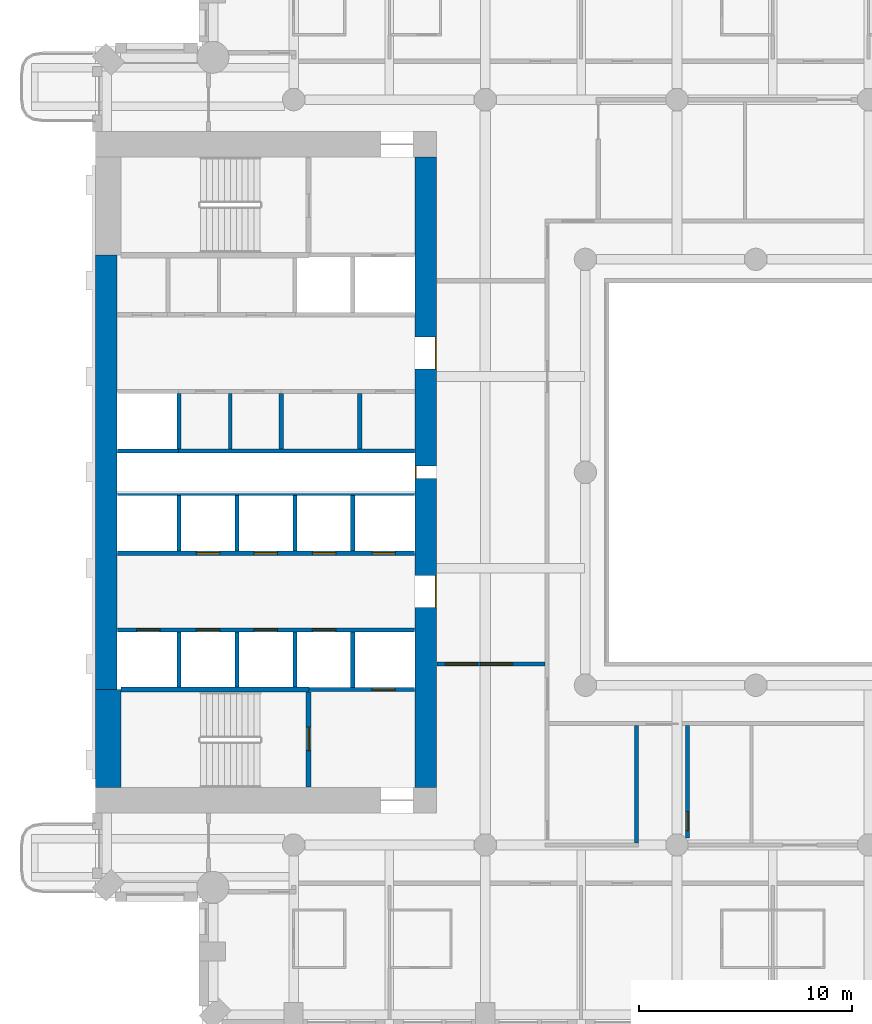
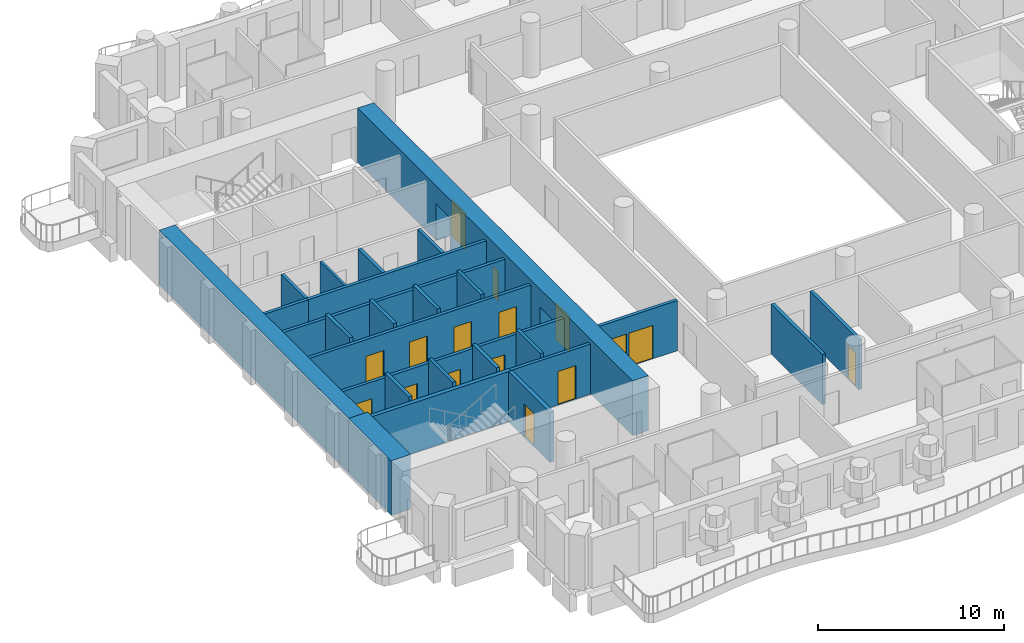
# One storey, part 4 of 20: 26 walls, 16 doors, 16 openings.
"""IFC4 building model written with IfcOpenShell, lengths in metres."""

import ifcopenshell
import ifcopenshell.guid

model = None  # the IFC model being written
_history = None  # IfcOwnerHistory: only IFC2X3 demands one
_inside = {}  # id of a spatial element -> (the spatial element, [elements in it])
_under = {}  # id of a project, library or spatial element -> (it, [spatial elements below it])
_declared = {}  # id of a project -> (the project, [libraries it declares])
_typed = {}  # id of a type object -> (the type object, [elements of that type])
_made_of = {}  # id of a material, layer set ... -> (it, [elements and type objects made of it])


def new_model(schema):
    """Start an empty IFC model of exactly this schema.

    Asked for "IFC4X3", IfcOpenShell would pick the latest addendum, in which some entities
    have other attributes; the version numbers below select the first issue.
    IFC2X3 requires an IfcOwnerHistory on every rooted entity: one is made here for all.
    """
    global model, _history
    if schema == "IFC4X3":
        model = ifcopenshell.file(schema_version=(4, 3, 0, 0))
    else:
        model = ifcopenshell.file(schema=schema)
    _inside.clear()
    _under.clear()
    _declared.clear()
    _typed.clear()
    _made_of.clear()
    _history = None
    if model.schema == "IFC2X3":
        org = make("IfcOrganization", Name="unknown")
        user = make(
            "IfcPersonAndOrganization",
            ThePerson=make("IfcPerson", FamilyName="unknown"),
            TheOrganization=org,
        )
        app = make(
            "IfcApplication",
            ApplicationDeveloper=org,
            Version="unknown",
            ApplicationFullName="unknown",
            ApplicationIdentifier="unknown",
        )
        _history = make(
            "IfcOwnerHistory",
            OwningUser=user,
            OwningApplication=app,
            ChangeAction="ADDED",
            CreationDate=0,
        )
    return model


def make(cls, **values):
    """One entity of the class cls with the attributes given. An attribute that is None is left unset."""
    return model.create_entity(
        cls, **{name: value for name, value in values.items() if value is not None}
    )


def rooted(cls, **values):
    """An entity with a GlobalId (a new one), such as an element, a storey or a relation."""
    return make(cls, GlobalId=ifcopenshell.guid.new(), OwnerHistory=_history, **values)


def si_unit(unit_type, name, prefix=None):
    """IfcSIUnit, for example si_unit("LENGTHUNIT", "METRE", prefix="MILLI")."""
    return make("IfcSIUnit", UnitType=unit_type, Prefix=prefix, Name=name)


def assignment(units):
    """IfcUnitAssignment: the units of a project."""
    return None if units is None else make("IfcUnitAssignment", Units=units)


def point(xyz):
    """IfcCartesianPoint."""
    return None if xyz is None else make("IfcCartesianPoint", Coordinates=xyz)


def direction(xyz):
    """IfcDirection."""
    return None if xyz is None else make("IfcDirection", DirectionRatios=xyz)


def frame(location, z_axis=None, x_axis=None):
    """IfcAxis2Placement3D, a coordinate frame: its origin and axes. An axis left out is left unset."""
    return make(
        "IfcAxis2Placement3D",
        Location=point(location),
        Axis=direction(z_axis),
        RefDirection=direction(x_axis),
    )


def frame_2d(location, x_axis=None):
    """IfcAxis2Placement2D, a coordinate frame in the plane: its origin and x axis."""
    return make(
        "IfcAxis2Placement2D", Location=point(location), RefDirection=direction(x_axis)
    )


def origin():
    """The frame at (0, 0, 0) with its axes left unset."""
    return frame((0.0, 0.0, 0.0))


def place(relative_to, where):
    """IfcLocalPlacement: puts the frame where relative to a parent placement (None: the world)."""
    return make(
        "IfcLocalPlacement", PlacementRelTo=relative_to, RelativePlacement=where
    )


def context(
    kind, dimensions, precision=None, world=None, true_north=None, identifier=None
):
    """IfcGeometricRepresentationContext, for example the 3D "Model" context."""
    return make(
        "IfcGeometricRepresentationContext",
        ContextIdentifier=identifier,
        ContextType=kind,
        CoordinateSpaceDimension=dimensions,
        Precision=precision,
        WorldCoordinateSystem=world,
        TrueNorth=true_north,
    )


def subcontext(parent, identifier, kind, view, scale=None):
    """IfcGeometricRepresentationSubContext, for example "Body" below "Model"."""
    return make(
        "IfcGeometricRepresentationSubContext",
        ContextIdentifier=identifier,
        ContextType=kind,
        ParentContext=parent,
        TargetScale=scale,
        TargetView=view,
    )


def project(units=None, contexts=None):
    """IfcProject with its units and contexts."""
    return rooted(
        "IfcProject",
        Name="project",
        RepresentationContexts=contexts,
        UnitsInContext=assignment(units),
    )


def spatial(cls, under=None, at=None, **own):
    """A site, building, storey or space (cls), placed at a placement, below another one or the project."""
    s = rooted(cls, ObjectPlacement=at, **own)
    if under is not None:
        _under.setdefault(under.id(), (under, []))[1].append(s)
    return s


def profile(cls, at=None, kind="AREA", **sizes):
    """A parametric profile (cls). Its sizes go by their IFC names, for example OverallWidth=200.0."""
    return make(cls, ProfileType=kind, Position=at, **sizes)


def rectangle(**sizes):
    """IfcRectangleProfileDef."""
    return profile("IfcRectangleProfileDef", **sizes)


def extrude(swept, where, along, depth):
    """IfcExtrudedAreaSolid: the profile swept, set in the frame where, extruded along a direction by depth."""
    return make(
        "IfcExtrudedAreaSolid",
        SweptArea=swept,
        Position=where,
        ExtrudedDirection=direction(along),
        Depth=depth,
    )


def shape(context_of_items, identifier, shape_type, items):
    """IfcShapeRepresentation: the items that make up one representation, for example the "Body"."""
    return make(
        "IfcShapeRepresentation",
        ContextOfItems=context_of_items,
        RepresentationIdentifier=identifier,
        RepresentationType=shape_type,
        Items=items,
    )


def material(Name=None, Category=None):
    """IfcMaterial."""
    return make("IfcMaterial", Name=Name, Category=Category)


def layer(
    of_material, thickness, ventilated=None, Name=None, Category=None, Priority=None
):
    """IfcMaterialLayer: one layer of a wall or slab, of a material (None: an air gap)."""
    return make(
        "IfcMaterialLayer",
        Material=of_material,
        LayerThickness=thickness,
        IsVentilated=ventilated,
        Name=Name,
        Category=Category,
        Priority=Priority,
    )


def layer_set(layers, Name=None):
    """IfcMaterialLayerSet."""
    return make("IfcMaterialLayerSet", MaterialLayers=layers, LayerSetName=Name)


def made_of(thing, what):
    """Note that an element or type object is made of a material, layer set ...; save() writes the relation."""
    if what is not None:
        _made_of.setdefault(what.id(), (what, []))[1].append(thing)
    return thing


def type_object(cls, material=None, **own):
    """A type object (cls), such as IfcWallType, which elements share."""
    return made_of(rooted(cls, **own), material)


def element(
    cls,
    number,
    at=None,
    inside=None,
    cuts=None,
    type_object=None,
    material=None,
    context=None,
    identifier="Body",
    shape_type=None,
    held_by="IfcProductDefinitionShape",
    body=None,
    shapes=None,
    **own,
):
    """One element of the class cls, such as IfcWall. Its Tag is "e" and its number.

    at: its placement. inside: the storey or other place that contains it. cuts: it is an
    opening in that element (IfcRelVoidsElement). A single representation is given by context,
    identifier, shape_type and body (its items); several are given by shapes. held_by: the class
    of the entity that holds the representations. save() writes the other relations.
    """
    e = rooted(cls, Tag="e%d" % number, ObjectPlacement=at, **own)
    if body is not None:
        shapes = [shape(context, identifier, shape_type, body)]
    if shapes is not None:
        e.Representation = make(held_by, Representations=shapes)
    if inside is not None:
        _inside.setdefault(inside.id(), (inside, []))[1].append(e)
    if cuts is not None:
        rooted(
            "IfcRelVoidsElement", RelatingBuildingElement=cuts, RelatedOpeningElement=e
        )
    if type_object is not None:
        _typed.setdefault(type_object.id(), (type_object, []))[1].append(e)
    return made_of(e, material)


def fill(opening, filler):
    """IfcRelFillsElement: the door or window that sits in an opening."""
    return rooted(
        "IfcRelFillsElement",
        RelatingOpeningElement=opening,
        RelatedBuildingElement=filler,
    )


def aggregate(whole, parts):
    """IfcRelAggregates: a whole, such as a stair, and the parts it consists of."""
    return rooted("IfcRelAggregates", RelatingObject=whole, RelatedObjects=parts)


def save(model, path):
    """Write the relations noted so far, then the file.

    IfcRelAggregates (storeys below a building ...), IfcRelContainedInSpatialStructure (elements
    in a storey), IfcRelDefinesByType, IfcRelAssociatesMaterial and IfcRelDeclares: one each for
    every whole, place, type object, material and project.
    """
    for whole, parts in _under.values():
        aggregate(whole, parts)
    for where, things in _inside.values():
        rooted(
            "IfcRelContainedInSpatialStructure",
            RelatedElements=things,
            RelatingStructure=where,
        )
    for kind, things in _typed.values():
        rooted("IfcRelDefinesByType", RelatedObjects=things, RelatingType=kind)
    for what, things in _made_of.values():
        rooted("IfcRelAssociatesMaterial", RelatedObjects=things, RelatingMaterial=what)
    for by, libraries in _declared.values():
        rooted("IfcRelDeclares", RelatingContext=by, RelatedDefinitions=libraries)
    model.write(path)


model = new_model("IFC4")

# Units and contexts
model_context = context("Model", 3, precision=1e-05, world=origin(), true_north=direction((0.0, 1.0)))
body_context = subcontext(model_context, "Body", "Model", "MODEL_VIEW")
ifc_project = project(units=[si_unit("LENGTHUNIT", "METRE"), si_unit("AREAUNIT", "SQUARE_METRE"), si_unit("VOLUMEUNIT", "CUBIC_METRE"), si_unit("PLANEANGLEUNIT", "RADIAN"), si_unit("MASSUNIT", "GRAM", prefix="KILO")], contexts=[model_context])

# Site, building, storey
site_placement = place(None, origin())
site = spatial("IfcSite", under=ifc_project, at=site_placement, CompositionType="ELEMENT")
building_placement = place(site_placement, origin())
building = spatial("IfcBuilding", under=site, at=building_placement, Name="Cypress Arch Tower", CompositionType="ELEMENT")
storey_placement = place(building_placement, frame((0.0, 0.0, 120.300048828125)))
storey = spatial("IfcBuildingStorey", under=building, at=storey_placement, Name="L25", CompositionType="ELEMENT", Elevation=120.300048828125)

# Wall, openings, doors
ifc_material_1 = material(Name="Concrete C80/95", Category="concrete")
ifc_layer_1 = layer(ifc_material_1, 1.0)
ifc_layer_set_1 = layer_set([ifc_layer_1], Name="Core wall CW1000 C80/95")
wall_type_1 = type_object("IfcWallType", Name="Core wall CW1000 C80/95", PredefinedType="SHEAR", material=ifc_layer_set_1)
wall_1_placement = place(storey_placement, frame((-14.5, -14.800048828125, 0.0), z_axis=(0.0, 0.0, 1.0), x_axis=(0.0, 1.0, 0.0)))
wall_1 = element("IfcWall", 1, at=wall_1_placement, inside=storey, type_object=wall_type_1, Name="Core wall", PredefinedType="SHEAR", context=body_context, shape_type="SweptSolid", body=[
    extrude(rectangle(XDim=29.60009765625, YDim=1.0, at=frame_2d((14.800048828125, 0.0))), origin(), (0.0, 0.0, 1.0), 3.599853515625),
])
opening_1_placement = place(wall_1_placement, frame((8.449951171875, 0.0, 0.0)))
opening_1 = element("IfcOpeningElement", 2, at=opening_1_placement, cuts=wall_1, Name="Opening D07", PredefinedType="OPENING", context=body_context, shape_type="SweptSolid", body=[
    extrude(rectangle(XDim=1.5, YDim=2.39990234375, at=frame_2d((0.75, 1.199951171875))), frame((0.0, 0.510009765625, 0.0), z_axis=(0.0, -1.0, 0.0), x_axis=(1.0, 0.0, 0.0)), (0.0, 0.0, 1.0), 1.02001953125),
])
opening_2_placement = place(wall_1_placement, frame((19.64990234375, 0.0, 0.0)))
opening_2 = element("IfcOpeningElement", 3, at=opening_2_placement, cuts=wall_1, Name="Opening D07", PredefinedType="OPENING", context=body_context, shape_type="SweptSolid", body=[
    extrude(rectangle(XDim=1.5, YDim=2.39990234375, at=frame_2d((0.75, 1.199951171875))), frame((0.0, 0.510009765625, 0.0), z_axis=(0.0, -1.0, 0.0), x_axis=(1.0, 0.0, 0.0)), (0.0, 0.0, 1.0), 1.02001953125),
])
opening_3_placement = place(wall_1_placement, frame((14.5, 0.0, 0.0)))
opening_3 = element("IfcOpeningElement", 4, at=opening_3_placement, cuts=wall_1, Name="Opening D08", PredefinedType="OPENING", context=body_context, shape_type="SweptSolid", body=[
    extrude(rectangle(XDim=0.60009765625, YDim=2.0, at=frame_2d((0.300048828125, 1.0))), frame((0.0, 0.510009765625, 0.0), z_axis=(0.0, -1.0, 0.0), x_axis=(1.0, 0.0, 0.0)), (0.0, 0.0, 1.0), 1.02001953125),
])
ifc_material_2 = material(Name="Steel framed glazed door, fire resisting", Category="steel")
door_type_1 = type_object("IfcDoorType", Name="Lobby door D07 1500x2400", OperationType="DOUBLE_DOOR_SINGLE_SWING", PredefinedType="DOOR", material=ifc_material_2)
door_1_placement = place(opening_1_placement, origin())
door_1 = element("IfcDoor", 5, at=door_1_placement, inside=storey, type_object=door_type_1, Name="Lobby door", OperationType="DOUBLE_DOOR_SINGLE_SWING", OverallHeight=2.39990234375, OverallWidth=1.5, PredefinedType="DOOR", context=body_context, shape_type="SweptSolid", body=[
    extrude(rectangle(XDim=1.5, YDim=2.39990234375, at=frame_2d((0.75, 1.199951171875))), frame((0.0, -0.44482421875, 0.0), z_axis=(0.0, -1.0, 0.0), x_axis=(1.0, 0.0, 0.0)), (0.0, 0.0, 1.0), 0.050048828125),
])
fill(opening_1, door_1)
door_2_placement = place(opening_2_placement, origin())
door_2 = element("IfcDoor", 6, at=door_2_placement, inside=storey, type_object=door_type_1, Name="Lobby door", OperationType="DOUBLE_DOOR_SINGLE_SWING", OverallHeight=2.39990234375, OverallWidth=1.5, PredefinedType="DOOR", context=body_context, shape_type="SweptSolid", body=[
    extrude(rectangle(XDim=1.5, YDim=2.39990234375, at=frame_2d((0.75, 1.199951171875))), frame((0.0, -0.44482421875, 0.0), z_axis=(0.0, -1.0, 0.0), x_axis=(1.0, 0.0, 0.0)), (0.0, 0.0, 1.0), 0.050048828125),
])
fill(opening_2, door_2)
ifc_material_3 = material(Name="Steel access door, fire resisting", Category="steel")
door_type_2 = type_object("IfcDoorType", Name="Riser access door D08 600x2000", OperationType="SINGLE_SWING_LEFT", PredefinedType="DOOR", material=ifc_material_3)
door_3_placement = place(opening_3_placement, origin())
door_3 = element("IfcDoor", 7, at=door_3_placement, inside=storey, type_object=door_type_2, Name="Riser access door", OperationType="SINGLE_SWING_RIGHT", OverallHeight=2.0, OverallWidth=0.60009765625, PredefinedType="DOOR", context=body_context, shape_type="SweptSolid", body=[
    extrude(rectangle(XDim=0.60009765625, YDim=2.0, at=frame_2d((0.300048828125, 1.0))), frame((0.0, 0.4951171875, 0.0), z_axis=(0.0, -1.0, 0.0), x_axis=(1.0, 0.0, 0.0)), (0.0, 0.0, 1.0), 0.050048828125),
])
fill(opening_3, door_3)

# Walls
wall_2_placement = place(storey_placement, frame((-29.5, -10.199951171875, 0.0), z_axis=(0.0, 0.0, 1.0), x_axis=(0.0, 1.0, 0.0)))
element("IfcWall", 8, at=wall_2_placement, inside=storey, type_object=wall_type_1, Name="Core wall", PredefinedType="SHEAR", context=body_context, shape_type="SweptSolid", body=[
    extrude(rectangle(XDim=20.39990234375, YDim=1.0, at=frame_2d((10.199951171875, 0.0))), origin(), (0.0, 0.0, 1.0), 3.599853515625),
])
ifc_material_4 = material(Name="Concrete C80/95", Category="concrete")
ifc_layer_2 = layer(ifc_material_4, 1.199951171875)
ifc_layer_set_2 = layer_set([ifc_layer_2], Name="Core wall CW1200 C80/95")
wall_type_2 = type_object("IfcWallType", Name="Core wall CW1200 C80/95", PredefinedType="SHEAR", material=ifc_layer_set_2)
wall_3_placement = place(storey_placement, frame((-29.39990234375, -14.800048828125, 0.0), z_axis=(0.0, 0.0, 1.0), x_axis=(0.0, 1.0, 0.0)))
element("IfcWall", 9, at=wall_3_placement, inside=storey, type_object=wall_type_2, Name="Core wall", PredefinedType="SHEAR", context=body_context, shape_type="SweptSolid", body=[
    extrude(rectangle(XDim=4.60009765625, YDim=1.199951171875, at=frame_2d((2.300048828125, 0.0))), origin(), (0.0, 0.0, 1.0), 3.599853515625),
])

# Wall, openings, doors
ifc_material_5 = material(Name="Concrete blockwork, plastered, rated", Category="masonry")
ifc_layer_3 = layer(ifc_material_5, 0.199951171875)
ifc_layer_set_3 = layer_set([ifc_layer_3], Name="Corridor wall FW200")
wall_type_3 = type_object("IfcWallType", Name="Corridor wall FW200", PredefinedType="PARTITIONING", material=ifc_layer_set_3)
wall_4_placement = place(storey_placement, frame((-13.969970703125, -9.0, 0.0), z_axis=(0.0, 0.0, 1.0), x_axis=(1.0, 0.0, 0.0)))
wall_4 = element("IfcWall", 10, at=wall_4_placement, inside=storey, type_object=wall_type_3, Name="Corridor wall", PredefinedType="PARTITIONING", context=body_context, shape_type="SweptSolid", body=[
    extrude(rectangle(XDim=5.070068359375, YDim=0.199951171875, at=frame_2d((2.53515625, 0.0))), origin(), (0.0, 0.0, 1.0), 3.300048828125),
])
opening_4_placement = place(wall_4_placement, frame((0.39990234375, 0.0, 0.0)))
opening_4 = element("IfcOpeningElement", 11, at=opening_4_placement, cuts=wall_4, Name="Opening D04", PredefinedType="OPENING", context=body_context, shape_type="SweptSolid", body=[
    extrude(rectangle(XDim=1.5, YDim=2.199951171875, at=frame_2d((0.75, 1.10009765625))), frame((0.0, 0.10986328125, 0.0), z_axis=(0.0, -1.0, 0.0), x_axis=(1.0, 0.0, 0.0)), (0.0, 0.0, 1.0), 0.219970703125),
])
opening_5_placement = place(wall_4_placement, frame((2.050048828125, 0.0, 0.0)))
opening_5 = element("IfcOpeningElement", 12, at=opening_5_placement, cuts=wall_4, Name="Opening D04", PredefinedType="OPENING", context=body_context, shape_type="SweptSolid", body=[
    extrude(rectangle(XDim=1.5, YDim=2.199951171875, at=frame_2d((0.75, 1.10009765625))), frame((0.0, 0.10986328125, 0.0), z_axis=(0.0, -1.0, 0.0), x_axis=(1.0, 0.0, 0.0)), (0.0, 0.0, 1.0), 0.219970703125),
])
ifc_material_6 = material(Name="Timber double door", Category="wood")
door_type_3 = type_object("IfcDoorType", Name="Double door D04 1500x2200", OperationType="DOUBLE_DOOR_SINGLE_SWING", PredefinedType="DOOR", material=ifc_material_6)
door_4_placement = place(opening_4_placement, origin())
door_4 = element("IfcDoor", 13, at=door_4_placement, inside=storey, type_object=door_type_3, Name="Double door", OperationType="DOUBLE_DOOR_SINGLE_SWING", OverallHeight=2.199951171875, OverallWidth=1.5, PredefinedType="DOOR", context=body_context, shape_type="SweptSolid", body=[
    extrude(rectangle(XDim=1.5, YDim=2.199951171875, at=frame_2d((0.75, 1.10009765625))), frame((0.0, 0.02490234375, 0.0), z_axis=(0.0, -1.0, 0.0), x_axis=(1.0, 0.0, 0.0)), (0.0, 0.0, 1.0), 0.050048828125),
])
fill(opening_4, door_4)
door_5_placement = place(opening_5_placement, origin())
door_5 = element("IfcDoor", 14, at=door_5_placement, inside=storey, type_object=door_type_3, Name="Double door", OperationType="DOUBLE_DOOR_SINGLE_SWING", OverallHeight=2.199951171875, OverallWidth=1.5, PredefinedType="DOOR", context=body_context, shape_type="SweptSolid", body=[
    extrude(rectangle(XDim=1.5, YDim=2.199951171875, at=frame_2d((0.75, 1.10009765625))), frame((0.0, 0.02490234375, 0.0), z_axis=(0.0, -1.0, 0.0), x_axis=(1.0, 0.0, 0.0)), (0.0, 0.0, 1.0), 0.050048828125),
])
fill(opening_5, door_5)

# Wall
wall_5_placement = place(storey_placement, frame((-4.60009765625, -17.39990234375, 0.0), z_axis=(0.0, 0.0, 1.0), x_axis=(0.0, 1.0, 0.0)))
element("IfcWall", 15, at=wall_5_placement, inside=storey, type_object=wall_type_3, Name="Corridor wall", PredefinedType="PARTITIONING", context=body_context, shape_type="SweptSolid", body=[
    extrude(rectangle(XDim=5.5, YDim=0.199951171875, at=frame_2d((2.75, 0.0))), origin(), (0.0, 0.0, 1.0), 3.300048828125),
])

# Wall, opening, door
wall_6_placement = place(storey_placement, frame((-2.199951171875, -17.178466796875, 0.0), z_axis=(0.0, 0.0, 1.0), x_axis=(0.0, 1.0, 0.0)))
wall_6 = element("IfcWall", 16, at=wall_6_placement, inside=storey, type_object=wall_type_3, Name="Corridor wall", PredefinedType="PARTITIONING", context=body_context, shape_type="SweptSolid", body=[
    extrude(rectangle(XDim=5.278564453125, YDim=0.199951171875, at=frame_2d((2.63916015625, 0.0))), origin(), (0.0, 0.0, 1.0), 3.300048828125),
])
opening_6_placement = place(wall_6_placement, frame((0.35009765625, 0.0, 0.0)))
opening_6 = element("IfcOpeningElement", 17, at=opening_6_placement, cuts=wall_6, Name="Opening D05", PredefinedType="OPENING", context=body_context, shape_type="SweptSolid", body=[
    extrude(rectangle(XDim=0.89990234375, YDim=2.199951171875, at=frame_2d((0.449951171875, 1.10009765625))), frame((0.0, 0.10986328125, 0.0), z_axis=(0.0, -1.0, 0.0), x_axis=(1.0, 0.0, 0.0)), (0.0, 0.0, 1.0), 0.219970703125),
])
ifc_material_7 = material(Name="Timber flush door", Category="wood")
door_type_4 = type_object("IfcDoorType", Name="Service door D05 900x2200", OperationType="SINGLE_SWING_LEFT", PredefinedType="DOOR", material=ifc_material_7)
door_6_placement = place(opening_6_placement, origin())
door_6 = element("IfcDoor", 18, at=door_6_placement, inside=storey, type_object=door_type_4, Name="Service door", OperationType="SINGLE_SWING_RIGHT", OverallHeight=2.199951171875, OverallWidth=0.89990234375, PredefinedType="DOOR", context=body_context, shape_type="SweptSolid", body=[
    extrude(rectangle(XDim=0.89990234375, YDim=2.199951171875, at=frame_2d((0.449951171875, 1.10009765625))), frame((0.0, 0.02490234375, 0.0), z_axis=(0.0, -1.0, 0.0), x_axis=(1.0, 0.0, 0.0)), (0.0, 0.0, 1.0), 0.050048828125),
])
fill(opening_6, door_6)

# Walls
ifc_material_8 = material(Name="Blockwork, plastered both sides", Category="masonry")
ifc_layer_4 = layer(ifc_material_8, 0.14990234375)
ifc_layer_set_4 = layer_set([ifc_layer_4], Name="Partition PW150")
wall_type_4 = type_object("IfcWallType", Name="Partition PW150", PredefinedType="PARTITIONING", material=ifc_layer_set_4)
wall_7_placement = place(storey_placement, frame((-23.679931640625, 1.10009765625, 0.0), z_axis=(0.0, 0.0, 1.0), x_axis=(0.0, 1.0, 0.0)))
element("IfcWall", 19, at=wall_7_placement, inside=storey, type_object=wall_type_4, Name="Partition", PredefinedType="PARTITIONING", context=body_context, shape_type="SweptSolid", body=[
    extrude(rectangle(XDim=2.599853515625, YDim=0.14990234375, at=frame_2d((1.2998046875, 0.0))), origin(), (0.0, 0.0, 1.0), 3.300048828125),
])
ifc_material_9 = material(Name="Reinforced blockwork, plastered, rated", Category="masonry")
ifc_layer_5 = layer(ifc_material_9, 0.199951171875)
ifc_layer_set_5 = layer_set([ifc_layer_5], Name="Plant and riser wall PL200")
wall_type_5 = type_object("IfcWallType", Name="Plant and riser wall PL200", PredefinedType="PARTITIONING", material=ifc_layer_set_5)
wall_8_placement = place(storey_placement, frame((-26.10009765625, 1.0, 0.0), z_axis=(0.0, 0.0, 1.0), x_axis=(1.0, 0.0, 0.0)))
element("IfcWall", 20, at=wall_8_placement, inside=storey, type_object=wall_type_5, Name="Plant and riser wall", PredefinedType="PARTITIONING", context=body_context, shape_type="SweptSolid", body=[
    extrude(rectangle(XDim=11.070068359375, YDim=0.199951171875, at=frame_2d((5.53515625, 0.0))), origin(), (0.0, 0.0, 1.0), 3.300048828125),
])
for number, where, z_axis, x_axis, name in (
    (21, (-21.280029296875, 1.10009765625, 0.0), (0.0, 0.0, 1.0), (0.0, 1.0, 0.0), "Plant and riser wall"),
    (22, (-17.60009765625, 1.10009765625, 0.0), (0.0, 0.0, 1.0), (0.0, 1.0, 0.0), "Plant and riser wall"),
):
    element("IfcWall", number, at=place(storey_placement, frame(where, z_axis=z_axis, x_axis=x_axis)), inside=storey, type_object=wall_type_5, Name=name, PredefinedType="PARTITIONING", context=body_context, shape_type="SweptSolid", body=[
        extrude(rectangle(XDim=2.599853515625, YDim=0.199951171875, at=frame_2d((1.2998046875, 0.0))), origin(), (0.0, 0.0, 1.0), 3.300048828125),
    ])

# Wall, openings, doors
ifc_material_10 = material(Name="Concrete C50/60", Category="concrete")
ifc_layer_6 = layer(ifc_material_10, 0.199951171875)
ifc_layer_set_6 = layer_set([ifc_layer_6], Name="Shaft wall SH200")
wall_type_6 = type_object("IfcWallType", Name="Shaft wall SH200", PredefinedType="SHEAR", material=ifc_layer_set_6)
wall_9_placement = place(storey_placement, frame((-28.969970703125, -7.39990234375, 0.0), z_axis=(0.0, 0.0, 1.0), x_axis=(1.0, 0.0, 0.0)))
wall_9 = element("IfcWall", 23, at=wall_9_placement, inside=storey, type_object=wall_type_6, Name="Shaft wall", PredefinedType="SHEAR", context=body_context, shape_type="SweptSolid", body=[
    extrude(rectangle(XDim=13.93994140625, YDim=0.199951171875, at=frame_2d((6.969970703125, 0.0))), origin(), (0.0, 0.0, 1.0), 3.300048828125),
])
opening_7_placement = place(wall_9_placement, frame((0.89990234375, 0.0, 0.0)))
opening_7 = element("IfcOpeningElement", 24, at=opening_7_placement, cuts=wall_9, Name="Opening LD-LR1", PredefinedType="OPENING", context=body_context, shape_type="SweptSolid", body=[
    extrude(rectangle(XDim=1.10009765625, YDim=2.199951171875, at=frame_2d((0.550048828125, 1.10009765625))), frame((0.0, 0.10986328125, 0.0), z_axis=(0.0, -1.0, 0.0), x_axis=(1.0, 0.0, 0.0)), (0.0, 0.0, 1.0), 0.219970703125),
])
opening_8_placement = place(wall_9_placement, frame((3.699951171875, 0.0, 0.0)))
opening_8 = element("IfcOpeningElement", 25, at=opening_8_placement, cuts=wall_9, Name="Opening LD-LR2", PredefinedType="OPENING", context=body_context, shape_type="SweptSolid", body=[
    extrude(rectangle(XDim=1.10009765625, YDim=2.199951171875, at=frame_2d((0.550048828125, 1.10009765625))), frame((0.0, 0.10986328125, 0.0), z_axis=(0.0, -1.0, 0.0), x_axis=(1.0, 0.0, 0.0)), (0.0, 0.0, 1.0), 0.219970703125),
])
opening_9_placement = place(wall_9_placement, frame((6.39990234375, 0.0, 0.0)))
opening_9 = element("IfcOpeningElement", 26, at=opening_9_placement, cuts=wall_9, Name="Opening LD-LR3", PredefinedType="OPENING", context=body_context, shape_type="SweptSolid", body=[
    extrude(rectangle(XDim=1.10009765625, YDim=2.199951171875, at=frame_2d((0.550048828125, 1.10009765625))), frame((0.0, 0.10986328125, 0.0), z_axis=(0.0, -1.0, 0.0), x_axis=(1.0, 0.0, 0.0)), (0.0, 0.0, 1.0), 0.219970703125),
])
opening_10_placement = place(wall_9_placement, frame((9.14990234375, 0.0, 0.0)))
opening_10 = element("IfcOpeningElement", 27, at=opening_10_placement, cuts=wall_9, Name="Opening LD-LR4", PredefinedType="OPENING", context=body_context, shape_type="SweptSolid", body=[
    extrude(rectangle(XDim=1.10009765625, YDim=2.199951171875, at=frame_2d((0.550048828125, 1.10009765625))), frame((0.0, 0.10986328125, 0.0), z_axis=(0.0, -1.0, 0.0), x_axis=(1.0, 0.0, 0.0)), (0.0, 0.0, 1.0), 0.219970703125),
])
ifc_material_11 = material(Name="Stainless steel centre-opening landing door, rated", Category="steel")
door_type_5 = type_object("IfcDoorType", Name="Lift landing door LD 1100x2200", OperationType="DOUBLE_DOOR_SLIDING", PredefinedType="DOOR", material=ifc_material_11)
door_7_placement = place(opening_7_placement, origin())
door_7 = element("IfcDoor", 28, at=door_7_placement, inside=storey, type_object=door_type_5, Name="Lift landing doors LR1", OperationType="DOUBLE_DOOR_SLIDING", OverallHeight=2.199951171875, OverallWidth=1.10009765625, PredefinedType="DOOR", context=body_context, shape_type="SweptSolid", body=[
    extrude(rectangle(XDim=1.10009765625, YDim=2.199951171875, at=frame_2d((0.550048828125, 1.10009765625))), frame((0.0, 0.02490234375, 0.0), z_axis=(0.0, -1.0, 0.0), x_axis=(1.0, 0.0, 0.0)), (0.0, 0.0, 1.0), 0.050048828125),
])
fill(opening_7, door_7)
door_8_placement = place(opening_8_placement, origin())
door_8 = element("IfcDoor", 29, at=door_8_placement, inside=storey, type_object=door_type_5, Name="Lift landing doors LR2", OperationType="DOUBLE_DOOR_SLIDING", OverallHeight=2.199951171875, OverallWidth=1.10009765625, PredefinedType="DOOR", context=body_context, shape_type="SweptSolid", body=[
    extrude(rectangle(XDim=1.10009765625, YDim=2.199951171875, at=frame_2d((0.550048828125, 1.10009765625))), frame((0.0, 0.02490234375, 0.0), z_axis=(0.0, -1.0, 0.0), x_axis=(1.0, 0.0, 0.0)), (0.0, 0.0, 1.0), 0.050048828125),
])
fill(opening_8, door_8)
door_9_placement = place(opening_9_placement, origin())
door_9 = element("IfcDoor", 30, at=door_9_placement, inside=storey, type_object=door_type_5, Name="Lift landing doors LR3", OperationType="DOUBLE_DOOR_SLIDING", OverallHeight=2.199951171875, OverallWidth=1.10009765625, PredefinedType="DOOR", context=body_context, shape_type="SweptSolid", body=[
    extrude(rectangle(XDim=1.10009765625, YDim=2.199951171875, at=frame_2d((0.550048828125, 1.10009765625))), frame((0.0, 0.02490234375, 0.0), z_axis=(0.0, -1.0, 0.0), x_axis=(1.0, 0.0, 0.0)), (0.0, 0.0, 1.0), 0.050048828125),
])
fill(opening_9, door_9)
door_10_placement = place(opening_10_placement, origin())
door_10 = element("IfcDoor", 31, at=door_10_placement, inside=storey, type_object=door_type_5, Name="Lift landing doors LR4", OperationType="DOUBLE_DOOR_SLIDING", OverallHeight=2.199951171875, OverallWidth=1.10009765625, PredefinedType="DOOR", context=body_context, shape_type="SweptSolid", body=[
    extrude(rectangle(XDim=1.10009765625, YDim=2.199951171875, at=frame_2d((0.550048828125, 1.10009765625))), frame((0.0, 0.02490234375, 0.0), z_axis=(0.0, -1.0, 0.0), x_axis=(1.0, 0.0, 0.0)), (0.0, 0.0, 1.0), 0.050048828125),
])
fill(opening_10, door_10)

wall_10_placement = place(storey_placement, frame((-28.969970703125, -3.800048828125, 0.0), z_axis=(0.0, 0.0, 1.0), x_axis=(1.0, 0.0, 0.0)))
wall_10 = element("IfcWall", 32, at=wall_10_placement, inside=storey, type_object=wall_type_6, Name="Shaft wall", PredefinedType="SHEAR", context=body_context, shape_type="SweptSolid", body=[
    extrude(rectangle(XDim=13.93994140625, YDim=0.199951171875, at=frame_2d((6.969970703125, 0.0))), origin(), (0.0, 0.0, 1.0), 3.300048828125),
])
opening_11_placement = place(wall_10_placement, frame((3.699951171875, 0.0, 0.0)))
opening_11 = element("IfcOpeningElement", 33, at=opening_11_placement, cuts=wall_10, Name="Opening LD-LR5", PredefinedType="OPENING", context=body_context, shape_type="SweptSolid", body=[
    extrude(rectangle(XDim=1.10009765625, YDim=2.199951171875, at=frame_2d((0.550048828125, 1.10009765625))), frame((0.0, 0.10986328125, 0.0), z_axis=(0.0, -1.0, 0.0), x_axis=(1.0, 0.0, 0.0)), (0.0, 0.0, 1.0), 0.219970703125),
])
opening_12_placement = place(wall_10_placement, frame((6.39990234375, 0.0, 0.0)))
opening_12 = element("IfcOpeningElement", 34, at=opening_12_placement, cuts=wall_10, Name="Opening LD-LR6", PredefinedType="OPENING", context=body_context, shape_type="SweptSolid", body=[
    extrude(rectangle(XDim=1.10009765625, YDim=2.199951171875, at=frame_2d((0.550048828125, 1.10009765625))), frame((0.0, 0.10986328125, 0.0), z_axis=(0.0, -1.0, 0.0), x_axis=(1.0, 0.0, 0.0)), (0.0, 0.0, 1.0), 0.219970703125),
])
opening_13_placement = place(wall_10_placement, frame((9.14990234375, 0.0, 0.0)))
opening_13 = element("IfcOpeningElement", 35, at=opening_13_placement, cuts=wall_10, Name="Opening LD-LR7", PredefinedType="OPENING", context=body_context, shape_type="SweptSolid", body=[
    extrude(rectangle(XDim=1.10009765625, YDim=2.199951171875, at=frame_2d((0.550048828125, 1.10009765625))), frame((0.0, 0.10986328125, 0.0), z_axis=(0.0, -1.0, 0.0), x_axis=(1.0, 0.0, 0.0)), (0.0, 0.0, 1.0), 0.219970703125),
])
opening_14_placement = place(wall_10_placement, frame((11.949951171875, 0.0, 0.0)))
opening_14 = element("IfcOpeningElement", 36, at=opening_14_placement, cuts=wall_10, Name="Opening LD-LR8", PredefinedType="OPENING", context=body_context, shape_type="SweptSolid", body=[
    extrude(rectangle(XDim=1.10009765625, YDim=2.199951171875, at=frame_2d((0.550048828125, 1.10009765625))), frame((0.0, 0.10986328125, 0.0), z_axis=(0.0, -1.0, 0.0), x_axis=(1.0, 0.0, 0.0)), (0.0, 0.0, 1.0), 0.219970703125),
])
door_11_placement = place(opening_11_placement, origin())
door_11 = element("IfcDoor", 37, at=door_11_placement, inside=storey, type_object=door_type_5, Name="Lift landing doors LR5", OperationType="DOUBLE_DOOR_SLIDING", OverallHeight=2.199951171875, OverallWidth=1.10009765625, PredefinedType="DOOR", context=body_context, shape_type="SweptSolid", body=[
    extrude(rectangle(XDim=1.10009765625, YDim=2.199951171875, at=frame_2d((0.550048828125, 1.10009765625))), frame((0.0, 0.02490234375, 0.0), z_axis=(0.0, -1.0, 0.0), x_axis=(1.0, 0.0, 0.0)), (0.0, 0.0, 1.0), 0.050048828125),
])
fill(opening_11, door_11)
door_12_placement = place(opening_12_placement, origin())
door_12 = element("IfcDoor", 38, at=door_12_placement, inside=storey, type_object=door_type_5, Name="Lift landing doors LR6", OperationType="DOUBLE_DOOR_SLIDING", OverallHeight=2.199951171875, OverallWidth=1.10009765625, PredefinedType="DOOR", context=body_context, shape_type="SweptSolid", body=[
    extrude(rectangle(XDim=1.10009765625, YDim=2.199951171875, at=frame_2d((0.550048828125, 1.10009765625))), frame((0.0, 0.02490234375, 0.0), z_axis=(0.0, -1.0, 0.0), x_axis=(1.0, 0.0, 0.0)), (0.0, 0.0, 1.0), 0.050048828125),
])
fill(opening_12, door_12)
door_13_placement = place(opening_13_placement, origin())
door_13 = element("IfcDoor", 39, at=door_13_placement, inside=storey, type_object=door_type_5, Name="Lift landing doors LR7", OperationType="DOUBLE_DOOR_SLIDING", OverallHeight=2.199951171875, OverallWidth=1.10009765625, PredefinedType="DOOR", context=body_context, shape_type="SweptSolid", body=[
    extrude(rectangle(XDim=1.10009765625, YDim=2.199951171875, at=frame_2d((0.550048828125, 1.10009765625))), frame((0.0, 0.02490234375, 0.0), z_axis=(0.0, -1.0, 0.0), x_axis=(1.0, 0.0, 0.0)), (0.0, 0.0, 1.0), 0.050048828125),
])
fill(opening_13, door_13)
door_14_placement = place(opening_14_placement, origin())
door_14 = element("IfcDoor", 40, at=door_14_placement, inside=storey, type_object=door_type_5, Name="Lift landing doors LR8", OperationType="DOUBLE_DOOR_SLIDING", OverallHeight=2.199951171875, OverallWidth=1.10009765625, PredefinedType="DOOR", context=body_context, shape_type="SweptSolid", body=[
    extrude(rectangle(XDim=1.10009765625, YDim=2.199951171875, at=frame_2d((0.550048828125, 1.10009765625))), frame((0.0, 0.02490234375, 0.0), z_axis=(0.0, -1.0, 0.0), x_axis=(1.0, 0.0, 0.0)), (0.0, 0.0, 1.0), 0.050048828125),
])
fill(opening_14, door_14)

# Walls
wall_11_placement = place(storey_placement, frame((-28.969970703125, -1.0, 0.0), z_axis=(0.0, 0.0, 1.0), x_axis=(1.0, 0.0, 0.0)))
element("IfcWall", 41, at=wall_11_placement, inside=storey, type_object=wall_type_6, Name="Shaft wall", PredefinedType="SHEAR", context=body_context, shape_type="SweptSolid", body=[
    extrude(rectangle(XDim=13.93994140625, YDim=0.199951171875, at=frame_2d((6.969970703125, 0.0))), origin(), (0.0, 0.0, 1.0), 3.300048828125),
])
wall_12_placement = place(storey_placement, frame((-28.969970703125, 1.0, 0.0), z_axis=(0.0, 0.0, 1.0), x_axis=(1.0, 0.0, 0.0)))
element("IfcWall", 42, at=wall_12_placement, inside=storey, type_object=wall_type_6, Name="Shaft wall", PredefinedType="SHEAR", context=body_context, shape_type="SweptSolid", body=[
    extrude(rectangle(XDim=2.869873046875, YDim=0.199951171875, at=frame_2d((1.43505859375, 0.0))), origin(), (0.0, 0.0, 1.0), 3.300048828125),
])
wall_13_placement = place(storey_placement, frame((-26.080078125, -10.074951171875, 0.0), z_axis=(0.0, 0.0, 1.0), x_axis=(0.0, 1.0, 0.0)))
element("IfcWall", 43, at=wall_13_placement, inside=storey, type_object=wall_type_6, Name="Shaft wall", PredefinedType="SHEAR", context=body_context, shape_type="SweptSolid", body=[
    extrude(rectangle(XDim=2.574951171875, YDim=0.199951171875, at=frame_2d((1.28759765625, 0.0))), origin(), (0.0, 0.0, 1.0), 3.599853515625),
])
wall_14_placement = place(storey_placement, frame((-26.080078125, -3.699951171875, 0.0), z_axis=(0.0, 0.0, 1.0), x_axis=(0.0, 1.0, 0.0)))
element("IfcWall", 44, at=wall_14_placement, inside=storey, type_object=wall_type_6, Name="Shaft wall", PredefinedType="SHEAR", context=body_context, shape_type="SweptSolid", body=[
    extrude(rectangle(XDim=2.599853515625, YDim=0.199951171875, at=frame_2d((1.2998046875, 0.0))), origin(), (0.0, 0.0, 1.0), 3.599853515625),
])
wall_15_placement = place(storey_placement, frame((-26.080078125, 1.10009765625, 0.0), z_axis=(0.0, 0.0, 1.0), x_axis=(0.0, 1.0, 0.0)))
element("IfcWall", 45, at=wall_15_placement, inside=storey, type_object=wall_type_6, Name="Shaft wall", PredefinedType="SHEAR", context=body_context, shape_type="SweptSolid", body=[
    extrude(rectangle(XDim=2.599853515625, YDim=0.199951171875, at=frame_2d((1.2998046875, 0.0))), origin(), (0.0, 0.0, 1.0), 3.300048828125),
])
wall_16_placement = place(storey_placement, frame((-23.360107421875, -10.074951171875, 0.0), z_axis=(0.0, 0.0, 1.0), x_axis=(0.0, 1.0, 0.0)))
element("IfcWall", 46, at=wall_16_placement, inside=storey, type_object=wall_type_6, Name="Shaft wall", PredefinedType="SHEAR", context=body_context, shape_type="SweptSolid", body=[
    extrude(rectangle(XDim=2.574951171875, YDim=0.199951171875, at=frame_2d((1.28759765625, 0.0))), origin(), (0.0, 0.0, 1.0), 3.599853515625),
])
wall_17_placement = place(storey_placement, frame((-23.360107421875, -3.699951171875, 0.0), z_axis=(0.0, 0.0, 1.0), x_axis=(0.0, 1.0, 0.0)))
element("IfcWall", 47, at=wall_17_placement, inside=storey, type_object=wall_type_6, Name="Shaft wall", PredefinedType="SHEAR", context=body_context, shape_type="SweptSolid", body=[
    extrude(rectangle(XDim=2.599853515625, YDim=0.199951171875, at=frame_2d((1.2998046875, 0.0))), origin(), (0.0, 0.0, 1.0), 3.599853515625),
])
wall_18_placement = place(storey_placement, frame((-20.639892578125, -10.074951171875, 0.0), z_axis=(0.0, 0.0, 1.0), x_axis=(0.0, 1.0, 0.0)))
element("IfcWall", 48, at=wall_18_placement, inside=storey, type_object=wall_type_6, Name="Shaft wall", PredefinedType="SHEAR", context=body_context, shape_type="SweptSolid", body=[
    extrude(rectangle(XDim=2.574951171875, YDim=0.199951171875, at=frame_2d((1.28759765625, 0.0))), origin(), (0.0, 0.0, 1.0), 3.599853515625),
])
wall_19_placement = place(storey_placement, frame((-20.639892578125, -3.699951171875, 0.0), z_axis=(0.0, 0.0, 1.0), x_axis=(0.0, 1.0, 0.0)))
element("IfcWall", 49, at=wall_19_placement, inside=storey, type_object=wall_type_6, Name="Shaft wall", PredefinedType="SHEAR", context=body_context, shape_type="SweptSolid", body=[
    extrude(rectangle(XDim=2.599853515625, YDim=0.199951171875, at=frame_2d((1.2998046875, 0.0))), origin(), (0.0, 0.0, 1.0), 3.599853515625),
])

# Wall, opening, door
wall_20_placement = place(storey_placement, frame((-19.97998046875, -10.199951171875, 0.0), z_axis=(0.0, 0.0, 1.0), x_axis=(1.0, 0.0, 0.0)))
wall_20 = element("IfcWall", 50, at=wall_20_placement, inside=storey, type_object=wall_type_6, Name="Shaft wall", PredefinedType="SHEAR", context=body_context, shape_type="SweptSolid", body=[
    extrude(rectangle(XDim=4.949951171875, YDim=0.199951171875, at=frame_2d((2.47509765625, 0.0))), origin(), (0.0, 0.0, 1.0), 3.300048828125),
])
opening_15_placement = place(wall_20_placement, frame((2.949951171875, 0.0, 0.0)))
opening_15 = element("IfcOpeningElement", 51, at=opening_15_placement, cuts=wall_20, Name="Opening LD-FL1", PredefinedType="OPENING", context=body_context, shape_type="SweptSolid", body=[
    extrude(rectangle(XDim=1.10009765625, YDim=2.199951171875, at=frame_2d((0.550048828125, 1.10009765625))), frame((0.0, 0.10986328125, 0.0), z_axis=(0.0, -1.0, 0.0), x_axis=(1.0, 0.0, 0.0)), (0.0, 0.0, 1.0), 0.219970703125),
])
door_15_placement = place(opening_15_placement, origin())
door_15 = element("IfcDoor", 52, at=door_15_placement, inside=storey, type_object=door_type_5, Name="Lift landing doors FL1", OperationType="DOUBLE_DOOR_SLIDING", OverallHeight=2.199951171875, OverallWidth=1.10009765625, PredefinedType="DOOR", context=body_context, shape_type="SweptSolid", body=[
    extrude(rectangle(XDim=1.10009765625, YDim=2.199951171875, at=frame_2d((0.550048828125, 1.10009765625))), frame((0.0, 0.02490234375, 0.0), z_axis=(0.0, -1.0, 0.0), x_axis=(1.0, 0.0, 0.0)), (0.0, 0.0, 1.0), 0.050048828125),
])
fill(opening_15, door_15)

# Walls
wall_21_placement = place(storey_placement, frame((-17.919921875, -10.10009765625, 0.0), z_axis=(0.0, 0.0, 1.0), x_axis=(0.0, 1.0, 0.0)))
element("IfcWall", 53, at=wall_21_placement, inside=storey, type_object=wall_type_6, Name="Shaft wall", PredefinedType="SHEAR", context=body_context, shape_type="SweptSolid", body=[
    extrude(rectangle(XDim=2.60009765625, YDim=0.199951171875, at=frame_2d((1.300048828125, 0.0))), origin(), (0.0, 0.0, 1.0), 3.599853515625),
])
wall_22_placement = place(storey_placement, frame((-17.919921875, -3.699951171875, 0.0), z_axis=(0.0, 0.0, 1.0), x_axis=(0.0, 1.0, 0.0)))
element("IfcWall", 54, at=wall_22_placement, inside=storey, type_object=wall_type_6, Name="Shaft wall", PredefinedType="SHEAR", context=body_context, shape_type="SweptSolid", body=[
    extrude(rectangle(XDim=2.599853515625, YDim=0.199951171875, at=frame_2d((1.2998046875, 0.0))), origin(), (0.0, 0.0, 1.0), 3.599853515625),
])
ifc_material_12 = material(Name="Concrete C50/60", Category="concrete")
ifc_layer_7 = layer(ifc_material_12, 0.25)
ifc_layer_set_7 = layer_set([ifc_layer_7], Name="Stair enclosure wall SW250")
wall_type_7 = type_object("IfcWallType", Name="Stair enclosure wall SW250", PredefinedType="SHEAR", material=ifc_layer_set_7)
wall_23_placement = place(storey_placement, frame((-28.81005859375, -10.199951171875, 0.0), z_axis=(0.0, 0.0, 1.0), x_axis=(1.0, 0.0, 0.0)))
element("IfcWall", 55, at=wall_23_placement, inside=storey, type_object=wall_type_7, Name="Stair enclosure wall", PredefinedType="SHEAR", context=body_context, shape_type="SweptSolid", body=[
    extrude(rectangle(XDim=8.830078125, YDim=0.25, at=frame_2d((4.4150390625, 0.0))), origin(), (0.0, 0.0, 1.0), 3.300048828125),
])

# Wall, opening, door
wall_24_placement = place(storey_placement, frame((-20.0, -14.77001953125, 0.0), z_axis=(0.0, 0.0, 1.0), x_axis=(0.0, 1.0, 0.0)))
wall_24 = element("IfcWall", 56, at=wall_24_placement, inside=storey, type_object=wall_type_7, Name="Stair enclosure wall", PredefinedType="SHEAR", context=body_context, shape_type="SweptSolid", body=[
    extrude(rectangle(XDim=4.445068359375, YDim=0.25, at=frame_2d((2.22265625, 0.0))), origin(), (0.0, 0.0, 1.0), 3.300048828125),
])
opening_16_placement = place(wall_24_placement, frame((1.699951171875, 0.0, 0.0)))
opening_16 = element("IfcOpeningElement", 57, at=opening_16_placement, cuts=wall_24, Name="Opening D06", PredefinedType="OPENING", context=body_context, shape_type="SweptSolid", body=[
    extrude(rectangle(XDim=1.10009765625, YDim=2.199951171875, at=frame_2d((0.550048828125, 1.10009765625))), frame((0.0, 0.135009765625, 0.0), z_axis=(0.0, -1.0, 0.0), x_axis=(1.0, 0.0, 0.0)), (0.0, 0.0, 1.0), 0.27001953125),
])
ifc_material_13 = material(Name="Steel door, fire resisting, panic bar", Category="steel")
door_type_6 = type_object("IfcDoorType", Name="Stair door D06 1100x2200", OperationType="SINGLE_SWING_LEFT", PredefinedType="DOOR", material=ifc_material_13)
door_16_placement = place(opening_16_placement, origin())
door_16 = element("IfcDoor", 58, at=door_16_placement, inside=storey, type_object=door_type_6, Name="Stair door", OperationType="SINGLE_SWING_RIGHT", OverallHeight=2.199951171875, OverallWidth=1.10009765625, PredefinedType="DOOR", context=body_context, shape_type="SweptSolid", body=[
    extrude(rectangle(XDim=1.10009765625, YDim=2.199951171875, at=frame_2d((0.550048828125, 1.10009765625))), frame((0.0, 0.02490234375, 0.0), z_axis=(0.0, -1.0, 0.0), x_axis=(1.0, 0.0, 0.0)), (0.0, 0.0, 1.0), 0.050048828125),
])
fill(opening_16, door_16)

save(model, "model.ifc")
